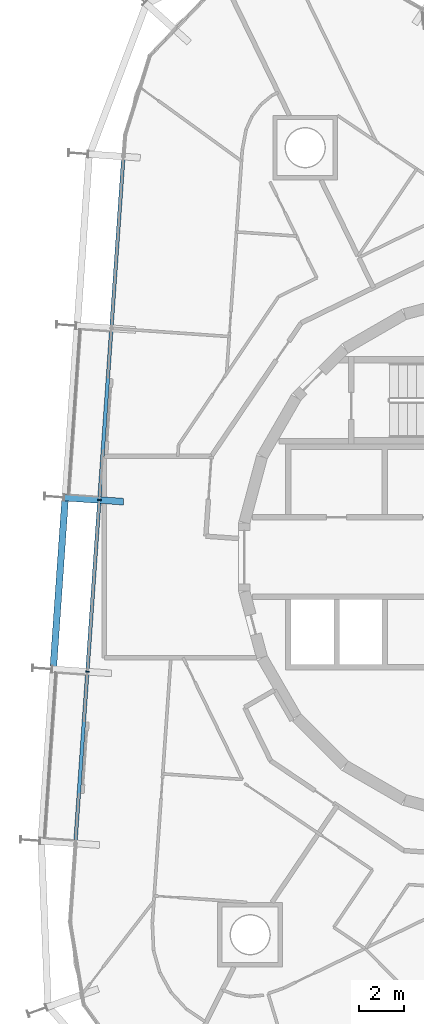
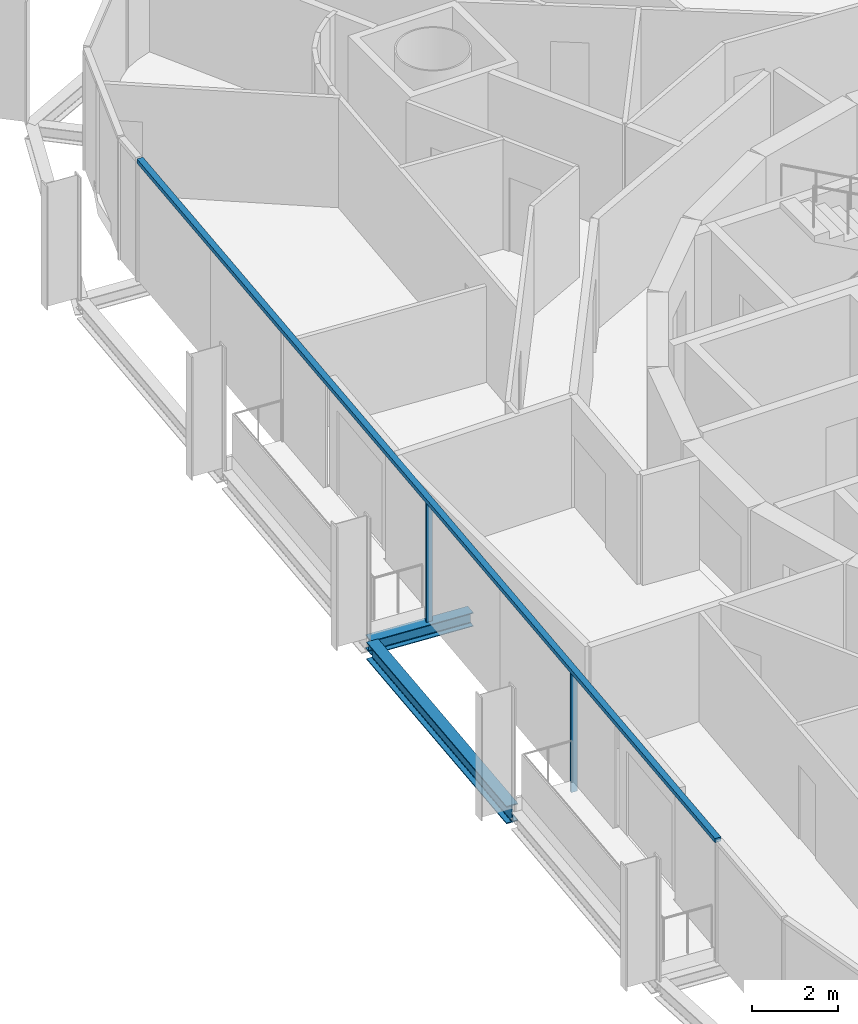
# One storey, part 4 of 17: 3 members, 2 beams, 1 element without a shape of its own.
"""IFC4 building model written with IfcOpenShell, lengths in metres."""

from ifc_helpers import new_model, si_unit, direction, frame, origin, origin_2d, place, context, subcontext, project, spatial, rectangle, i_section, extrude, material, layer, layer_set, material_profile, profile_set, type_object, element, aggregate, save


model = new_model("IFC4")

# Units and contexts
model_context = context("Model", 3, precision=1e-05, world=origin(), true_north=direction((0.0, 1.0)))
body_context = subcontext(model_context, "Body", "Model", "MODEL_VIEW")
ifc_project = project(units=[si_unit("LENGTHUNIT", "METRE"), si_unit("AREAUNIT", "SQUARE_METRE"), si_unit("VOLUMEUNIT", "CUBIC_METRE"), si_unit("PLANEANGLEUNIT", "RADIAN"), si_unit("MASSUNIT", "GRAM", prefix="KILO")], contexts=[model_context])

# Site, building, storey
site_placement = place(None, origin())
site = spatial("IfcSite", under=ifc_project, at=site_placement, CompositionType="ELEMENT")
building_placement = place(site_placement, origin())
building = spatial("IfcBuilding", under=site, at=building_placement, Name="Spindle Arch Residences", CompositionType="ELEMENT")
storey_placement = place(building_placement, frame((0.0, 0.0, 212.89990234375)))
storey = spatial("IfcBuildingStorey", under=building, at=storey_placement, Name="L54", CompositionType="ELEMENT", Elevation=212.89990234375)

# Curtain wall, members
ifc_material_1 = material(Name="Aluminium bronze unitised frame with tinted glass", Category="aluminium")
ifc_layer = layer(ifc_material_1, 0.159912109375)
ifc_layer_set = layer_set([ifc_layer], Name="CW-C typical residential unitised wall")
curtain_wall_type = type_object("IfcCurtainWallType", Name="CW-C typical residential unitised wall", PredefinedType="NOTDEFINED", material=ifc_layer_set)
curtain_wall_placement = place(storey_placement, origin())
curtain_wall = element("IfcCurtainWall", 1, at=curtain_wall_placement, inside=storey, type_object=curtain_wall_type, Name="CW-C L54 run 4", PredefinedType="NOTDEFINED")
ifc_material_2 = material(Name="Aluminium bronze anodised mullion", Category="aluminium")
ifc_material_profile_1 = material_profile(ifc_material_2, rectangle(XDim=0.159912109375, YDim=0.06005859375, at=origin_2d()), Name="MU 60x160")
ifc_profile_set_1 = profile_set([ifc_material_profile_1], Name="Aluminium bronze anodised mullion")
member_type_1 = type_object("IfcMemberType", Name="Bronze mullion 60x160", PredefinedType="MULLION", material=ifc_profile_set_1)
member_1_placement = place(storey_placement, frame((-18.126708984375, 2.552978515625, -0.3798828125), z_axis=(0.0, 0.0, 1.0), x_axis=(0.99756405026, -0.069756473744, 0.0)))
member_1 = element("IfcMember", 2, at=member_1_placement, type_object=member_type_1, Name="CW-C mullion 14", PredefinedType="MULLION", context=body_context, shape_type="SweptSolid", body=[
    extrude(rectangle(XDim=0.159912109375, YDim=0.06005859375, at=origin_2d()), origin(), (0.0, 0.0, 1.0), 3.3798828125),
])
member_2_placement = place(storey_placement, frame((-18.66357421875, -5.1220703125, -0.3798828125), z_axis=(0.0, 0.0, 1.0), x_axis=(0.99756405026, -0.069756473744, 0.0)))
member_2 = element("IfcMember", 3, at=member_2_placement, type_object=member_type_1, Name="CW-C mullion 15", PredefinedType="MULLION", context=body_context, shape_type="SweptSolid", body=[
    extrude(rectangle(XDim=0.159912109375, YDim=0.06005859375, at=origin_2d()), origin(), (0.0, 0.0, 1.0), 3.3798828125),
])
ifc_material_3 = material(Name="Aluminium bronze anodised transom", Category="aluminium")
ifc_material_profile_2 = material_profile(ifc_material_3, rectangle(XDim=0.159912109375, YDim=0.1201171875, at=origin_2d()), Name="TR 120x160")
ifc_profile_set_2 = profile_set([ifc_material_profile_2], Name="Aluminium bronze anodised transom")
member_type_2 = type_object("IfcMemberType", Name="Bronze transom 120x160", PredefinedType="USERDEFINED", material=ifc_profile_set_2)
member_3_placement = place(storey_placement, frame((-17.0556640625, 17.873046875, 3.06005859375), z_axis=(-0.069748921728, -0.997564578319, 0.0), x_axis=(0.997564578319, -0.069748921728, 0.0)))
member_3 = element("IfcMember", 4, at=member_3_placement, type_object=member_type_2, Name="CW-C transom 00", ObjectType="TRANSOM", PredefinedType="USERDEFINED", context=body_context, shape_type="SweptSolid", body=[
    extrude(rectangle(XDim=0.159912109375, YDim=0.1201171875, at=origin_2d()), origin(), (0.0, 0.0, 1.0), 30.71484375),
])
aggregate(curtain_wall, [member_3, member_1, member_2])

# Beams
ifc_material_4 = material(Name="Steel S460ML, intumescent coating R 120", Category="steel")
ifc_material_profile_3 = material_profile(ifc_material_4, i_section(OverallWidth=0.300048828125, OverallDepth=0.5, WebThickness=0.014404296875, FlangeThickness=0.028076171875, FilletRadius=0.027099609375, at=origin_2d()), Name="HEB 500")
ifc_profile_set_3 = profile_set([ifc_material_profile_3], Name="Steel S460ML, intumescent coating R 120")
beam_type_1 = type_object("IfcBeamType", Name="Exoskeleton edge beam HEB 500", PredefinedType="BEAM", material=ifc_profile_set_3)
beam_1_placement = place(storey_placement, frame((-19.662109375, 2.530029296875, -0.6298828125), z_axis=(-0.069757879566, -0.997563951954, 0.0), x_axis=(0.997563951954, -0.069757879566, 0.0)))
element("IfcBeam", 5, at=beam_1_placement, inside=storey, type_object=beam_type_1, Name="Exoskeleton edge beam 15", PredefinedType="BEAM", context=body_context, shape_type="SweptSolid", body=[
    extrude(i_section(OverallWidth=0.300048828125, OverallDepth=0.5, WebThickness=0.014404296875, FlangeThickness=0.028076171875, FilletRadius=0.027099609375, at=origin_2d()), origin(), (0.0, 0.0, 1.0), 7.43359375),
])
ifc_material_5 = material(Name="Steel S460ML, intumescent coating R 120", Category="steel")
ifc_material_profile_4 = material_profile(ifc_material_5, i_section(OverallWidth=0.300048828125, OverallDepth=0.389892578125, WebThickness=0.010986328125, FlangeThickness=0.01904296875, FilletRadius=0.027099609375, at=origin_2d()), Name="HEA 400")
ifc_profile_set_4 = profile_set([ifc_material_profile_4], Name="Steel S460ML, intumescent coating R 120")
beam_type_2 = type_object("IfcBeamType", Name="Floor outrigger HEA 400", PredefinedType="BEAM", material=ifc_profile_set_4)
beam_2_placement = place(storey_placement, frame((-19.693115234375, 2.66259765625, -0.574951171875), z_axis=(0.997565124092, -0.069741115528, 0.0), x_axis=(0.069741115528, 0.997565124092, 0.0)))
element("IfcBeam", 6, at=beam_2_placement, inside=storey, type_object=beam_type_2, Name="Floor outrigger 15", PredefinedType="BEAM", context=body_context, shape_type="SweptSolid", body=[
    extrude(i_section(OverallWidth=0.300048828125, OverallDepth=0.389892578125, WebThickness=0.010986328125, FlangeThickness=0.01904296875, FilletRadius=0.027099609375, at=origin_2d()), origin(), (0.0, 0.0, 1.0), 2.64990234375),
])

save(model, "model.ifc")
